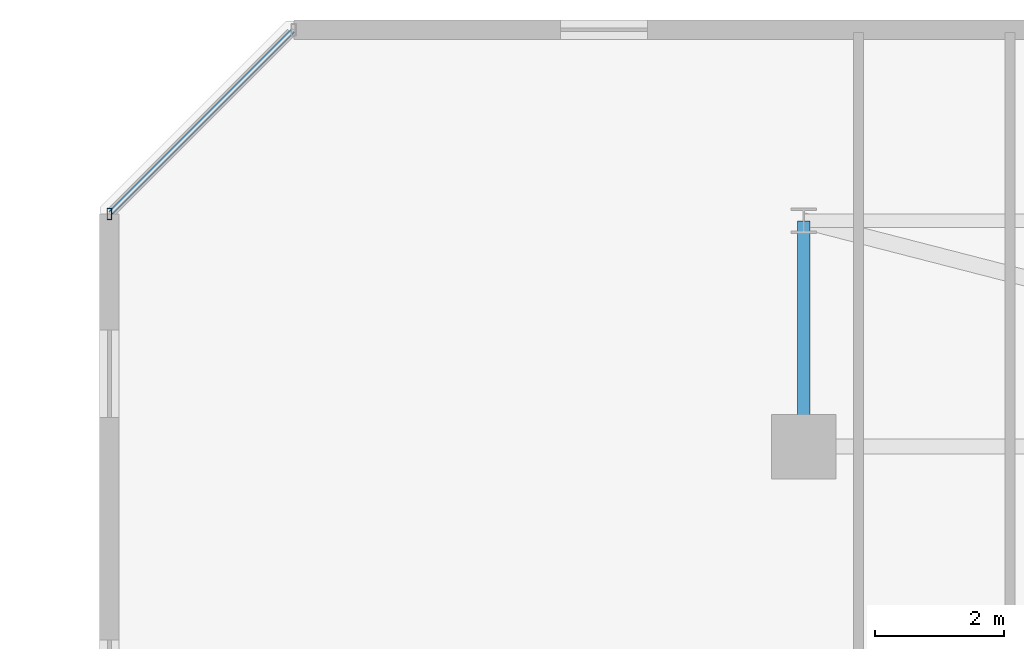
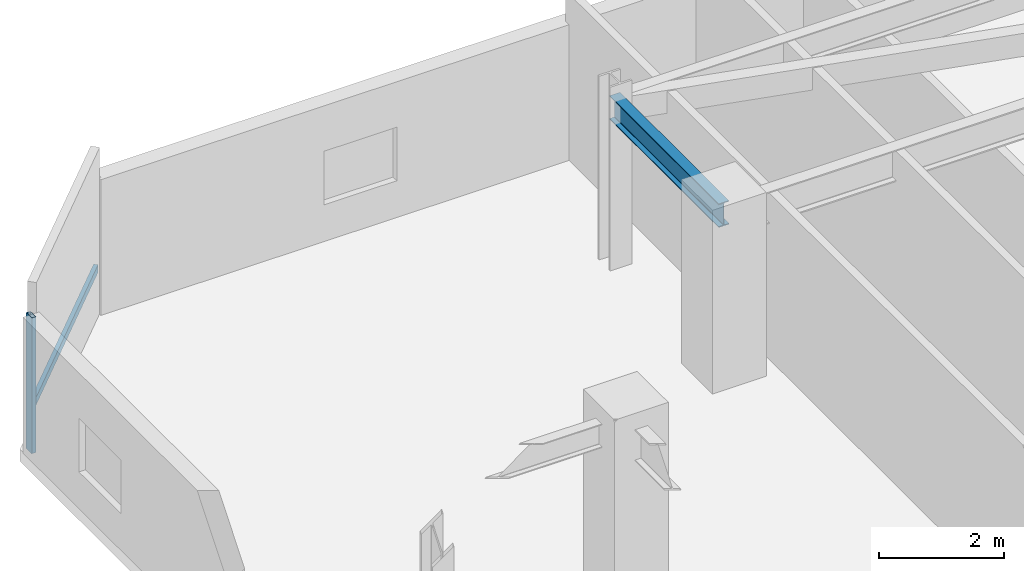
# One storey, part 7 of 33: 2 members, 1 beam, 1 element without a shape of its own.
"""IFC4 building model written with IfcOpenShell, lengths in metres."""

from ifc_helpers import new_model, si_unit, direction, frame, origin, origin_2d, place, context, subcontext, project, spatial, hollow_rectangle, i_section, extrude, material, material_profile, profile_set, type_object, element, aggregate, save


model = new_model("IFC4")

# Units and contexts
model_context = context("Model", 3, precision=1e-05, world=origin(), true_north=direction((0.0, 1.0)))
body_context = subcontext(model_context, "Body", "Model", "MODEL_VIEW")
ifc_project = project(units=[si_unit("LENGTHUNIT", "METRE"), si_unit("AREAUNIT", "SQUARE_METRE"), si_unit("VOLUMEUNIT", "CUBIC_METRE"), si_unit("PLANEANGLEUNIT", "RADIAN"), si_unit("MASSUNIT", "GRAM", prefix="KILO")], contexts=[model_context])

# Site, building, storey
site_placement = place(None, origin())
site = spatial("IfcSite", under=ifc_project, at=site_placement, CompositionType="ELEMENT")
building_placement = place(site_placement, origin())
building = spatial("IfcBuilding", under=site, at=building_placement, Name="Thornwick Lancets Civic Towers", CompositionType="ELEMENT")
storey_placement = place(building_placement, frame((0.0, 0.0, 218.10009765625)))
storey = spatial("IfcBuildingStorey", under=building, at=storey_placement, Name="L58", CompositionType="ELEMENT", Elevation=218.10009765625)

# Beam
ifc_material_1 = material(Name="Steel S355JR", Category="steel")
ifc_material_profile_1 = material_profile(ifc_material_1, i_section(OverallWidth=0.19189453125, OverallDepth=0.46337890625, WebThickness=0.010498046875, FlangeThickness=0.017578125, FilletRadius=0.01025390625, at=origin_2d()), Name="UKB 457x191x89")
ifc_profile_set_1 = profile_set([ifc_material_profile_1], Name="Steel S355JR")
beam_type = type_object("IfcBeamType", Name="BM_JOIST_457_89", PredefinedType="JOIST", material=ifc_profile_set_1)
beam_placement = place(storey_placement, frame((12.5, 44.300048828125, 3.048095703125), z_axis=(0.0, 1.0, 0.0), x_axis=(-1.0, 0.0, 0.0)))
element("IfcBeam", 1, at=beam_placement, inside=storey, type_object=beam_type, Name="BM-RAD-L58-A07", PredefinedType="JOIST", context=body_context, shape_type="SweptSolid", body=[
    extrude(i_section(OverallWidth=0.19189453125, OverallDepth=0.46337890625, WebThickness=0.010498046875, FlangeThickness=0.017578125, FilletRadius=0.01025390625, at=origin_2d()), origin(), (0.0, 0.0, 1.0), 3.5),
])

# Curtain wall, members
ifc_material_2 = material(Name="High-zone chamfered-corner unitised glass curtain wall", Category="glass")
curtain_wall_type = type_object("IfcCurtainWallType", Name="CW_SYS_05", PredefinedType="NOTDEFINED", material=ifc_material_2)
curtain_wall_placement = place(storey_placement, origin())
curtain_wall = element("IfcCurtainWall", 2, at=curtain_wall_placement, inside=storey, type_object=curtain_wall_type, Name="L58 Curtain Wall CW-L58-A-E5", PredefinedType="NOTDEFINED")
ifc_material_3 = material(Name="Thermally broken bronze aluminium S355", Category="steel")
ifc_material_profile_2 = material_profile(ifc_material_3, hollow_rectangle(XDim=0.074951171875, YDim=0.179931640625, WallThickness=0.006103515625, at=origin_2d()), Name="RHS 180x75x6")
ifc_profile_set_2 = profile_set([ifc_material_profile_2], Name="Thermally broken bronze aluminium S355")
member_type_1 = type_object("IfcMemberType", Name="CW_MUL_180", PredefinedType="MULLION", material=ifc_profile_set_2)
member_1_placement = place(storey_placement, frame((1.736328125, 47.905517578125, 0.0), z_axis=(0.0, 0.0, 1.0), x_axis=(1.0, 0.0, 0.0)))
member_1 = element("IfcMember", 3, at=member_1_placement, type_object=member_type_1, Name="CW-L58-A-E5 Mullion 1", PredefinedType="MULLION", context=body_context, shape_type="SweptSolid", body=[
    extrude(hollow_rectangle(XDim=0.074951171875, YDim=0.179931640625, WallThickness=0.006103515625, at=origin_2d()), origin(), (0.0, 0.0, 1.0), 2.659912109375),
])
ifc_material_profile_3 = material_profile(ifc_material_3, hollow_rectangle(XDim=0.074951171875, YDim=0.14990234375, WallThickness=0.0048828125, at=origin_2d()), Name="RHS 150x75x5")
ifc_profile_set_3 = profile_set([ifc_material_profile_3], Name="Thermally broken bronze aluminium S355")
member_type_2 = type_object("IfcMemberType", Name="CW_TRN_150", PredefinedType="USERDEFINED", material=ifc_profile_set_3)
member_2_placement = place(storey_placement, frame((4.58056640625, 50.74951171875, 0.849853515625), z_axis=(-0.707106781187, -0.707106781187, 0.0), x_axis=(0.707106781187, -0.707106781187, 0.0)))
member_2 = element("IfcMember", 4, at=member_2_placement, type_object=member_type_2, Name="CW-L58-A-E5 Transom 0", ObjectType="TRANSOM", PredefinedType="USERDEFINED", context=body_context, shape_type="SweptSolid", body=[
    extrude(hollow_rectangle(XDim=0.074951171875, YDim=0.14990234375, WallThickness=0.0048828125, at=origin_2d()), origin(), (0.0, 0.0, 1.0), 4.00244140625),
])
aggregate(curtain_wall, [member_1, member_2])

save(model, "model.ifc")
